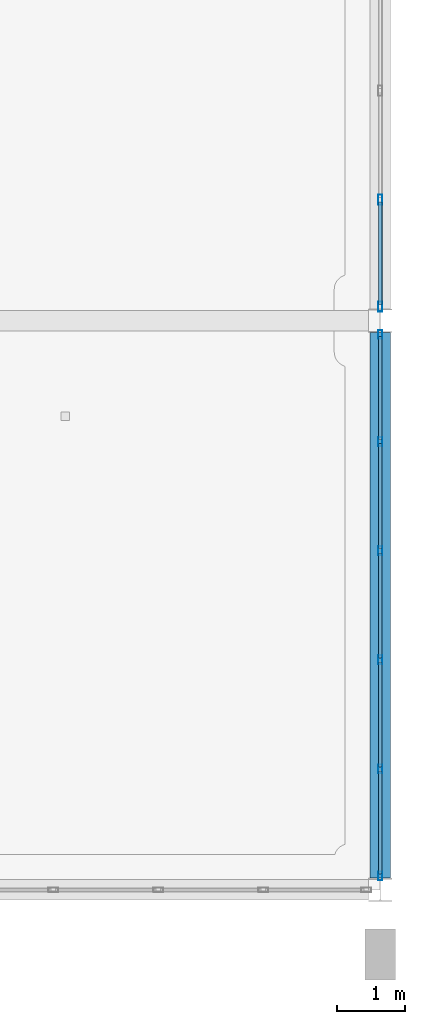
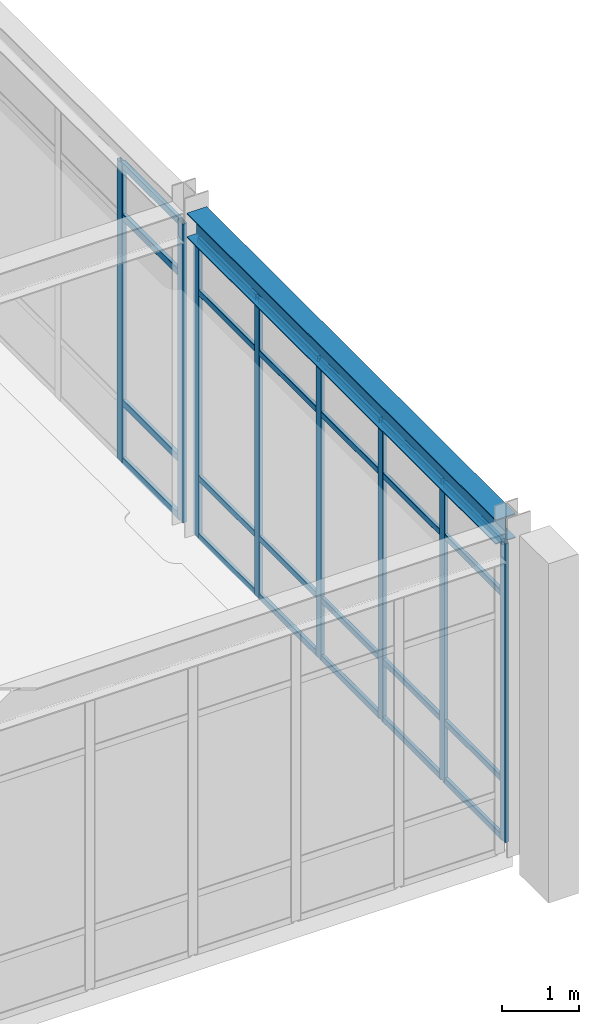
# One storey, part 20 of 80: 32 members, 1 beam, 2 elements without a shape of their own.
"""IFC4 building model written with IfcOpenShell, lengths in metres."""

from ifc_helpers import new_model, si_unit, direction, frame, origin, origin_2d, place, context, subcontext, project, spatial, hollow_rectangle, i_section, extrude, material, material_profile, profile_set, type_object, element, aggregate, save


model = new_model("IFC4")

# Units and contexts
model_context = context("Model", 3, precision=1e-05, world=origin(), true_north=direction((0.0, 1.0)))
body_context = subcontext(model_context, "Body", "Model", "MODEL_VIEW")
ifc_project = project(units=[si_unit("LENGTHUNIT", "METRE"), si_unit("AREAUNIT", "SQUARE_METRE"), si_unit("VOLUMEUNIT", "CUBIC_METRE"), si_unit("PLANEANGLEUNIT", "RADIAN"), si_unit("MASSUNIT", "GRAM", prefix="KILO")], contexts=[model_context])

# Site, building, storey
site_placement = place(None, origin())
site = spatial("IfcSite", under=ifc_project, at=site_placement, CompositionType="ELEMENT")
building_placement = place(site_placement, origin())
building = spatial("IfcBuilding", under=site, at=building_placement, Name="Canglan Escarpment Cableway Terminal", CompositionType="ELEMENT")
storey_placement = place(building_placement, frame((0.0, 0.0, 19.199951171875)))
storey = spatial("IfcBuildingStorey", under=building, at=storey_placement, Name="L04", CompositionType="ELEMENT", Elevation=19.199951171875)

# Beam
ifc_material_1 = material(Name="Steel Q355B", Category="steel")
ifc_material_profile_1 = material_profile(ifc_material_1, i_section(OverallWidth=0.300048828125, OverallDepth=0.389892578125, WebThickness=0.010009765625, FlangeThickness=0.01611328125, FilletRadius=0.02197265625, at=origin_2d()), Name="HM 390x300x10x16")
ifc_profile_set_1 = profile_set([ifc_material_profile_1], Name="Steel Q355B")
beam_type = type_object("IfcBeamType", Name="BM-ARCH-TOP-HM390", PredefinedType="BEAM", material=ifc_profile_set_1)
beam_placement = place(storey_placement, frame((166.39990234375, 8.175048828125, 4.965087890625), z_axis=(0.0, 1.0, 0.0), x_axis=(-1.0, 0.0, 0.0)))
element("IfcBeam", 1, at=beam_placement, inside=storey, type_object=beam_type, Name="Primary transverse girder AR-TC1", PredefinedType="BEAM", context=body_context, shape_type="SweptSolid", body=[
    extrude(i_section(OverallWidth=0.300048828125, OverallDepth=0.389892578125, WebThickness=0.010009765625, FlangeThickness=0.01611328125, FilletRadius=0.02197265625, at=origin_2d()), origin(), (0.0, 0.0, 1.0), 8.050048828125),
])

# Curtain wall, members
ifc_material_2 = material(Name="Anodized bronze aluminium and Low-E double glazing", Category="aluminium")
curtain_wall_type = type_object("IfcCurtainWallType", Name="CW-BAY-8050x4750", PredefinedType="NOTDEFINED", material=ifc_material_2)
curtain_wall_1_placement = place(storey_placement, origin())
curtain_wall_1 = element("IfcCurtainWall", 2, at=curtain_wall_1_placement, inside=storey, type_object=curtain_wall_type, Name="Classical bay-between-piers glazed curtain wall CW-34", PredefinedType="NOTDEFINED")
ifc_material_3 = material(Name="Thermally broken anodized aluminium 6063-T6", Category="aluminium")
ifc_material_profile_2 = material_profile(ifc_material_3, hollow_rectangle(XDim=0.06005859375, YDim=0.1298828125, WallThickness=0.0029296875, InnerFilletRadius=0.0029296875, OuterFilletRadius=0.006103515625, at=origin_2d()), Name="ALU-MULL 60x130x3")
ifc_profile_set_2 = profile_set([ifc_material_profile_2], Name="Thermally broken anodized aluminium 6063-T6")
member_type_1 = type_object("IfcMemberType", Name="CWM-01", PredefinedType="MULLION", material=ifc_profile_set_2)
member_1_placement = place(storey_placement, frame((166.39990234375, 8.205078125, 0.0), z_axis=(0.0, 0.0, 1.0), x_axis=(-1.0, 0.0, 0.0)))
member_1 = element("IfcMember", 3, at=member_1_placement, type_object=member_type_1, Name="CW-34 mullion 1", PredefinedType="MULLION", context=body_context, shape_type="SweptSolid", body=[
    extrude(hollow_rectangle(XDim=0.06005859375, YDim=0.1298828125, WallThickness=0.0029296875, InnerFilletRadius=0.0029296875, OuterFilletRadius=0.006103515625, at=origin_2d()), origin(), (0.0, 0.0, 1.0), 4.755126953125),
])
member_2_placement = place(storey_placement, frame((166.39990234375, 9.784912109375, 0.0), z_axis=(0.0, 0.0, 1.0), x_axis=(-1.0, 0.0, 0.0)))
member_2 = element("IfcMember", 4, at=member_2_placement, type_object=member_type_1, Name="CW-34 mullion 2", PredefinedType="MULLION", context=body_context, shape_type="SweptSolid", body=[
    extrude(hollow_rectangle(XDim=0.06005859375, YDim=0.1298828125, WallThickness=0.0029296875, InnerFilletRadius=0.0029296875, OuterFilletRadius=0.006103515625, at=origin_2d()), origin(), (0.0, 0.0, 1.0), 4.755126953125),
])
member_3_placement = place(storey_placement, frame((166.39990234375, 11.39501953125, 0.0), z_axis=(0.0, 0.0, 1.0), x_axis=(-1.0, 0.0, 0.0)))
member_3 = element("IfcMember", 5, at=member_3_placement, type_object=member_type_1, Name="CW-34 mullion 3", PredefinedType="MULLION", context=body_context, shape_type="SweptSolid", body=[
    extrude(hollow_rectangle(XDim=0.06005859375, YDim=0.1298828125, WallThickness=0.0029296875, InnerFilletRadius=0.0029296875, OuterFilletRadius=0.006103515625, at=origin_2d()), origin(), (0.0, 0.0, 1.0), 4.755126953125),
])
member_4_placement = place(storey_placement, frame((166.39990234375, 13.0048828125, 0.0), z_axis=(0.0, 0.0, 1.0), x_axis=(-1.0, 0.0, 0.0)))
member_4 = element("IfcMember", 6, at=member_4_placement, type_object=member_type_1, Name="CW-34 mullion 4", PredefinedType="MULLION", context=body_context, shape_type="SweptSolid", body=[
    extrude(hollow_rectangle(XDim=0.06005859375, YDim=0.1298828125, WallThickness=0.0029296875, InnerFilletRadius=0.0029296875, OuterFilletRadius=0.006103515625, at=origin_2d()), origin(), (0.0, 0.0, 1.0), 4.755126953125),
])
member_5_placement = place(storey_placement, frame((166.39990234375, 14.614990234375, 0.0), z_axis=(0.0, 0.0, 1.0), x_axis=(-1.0, 0.0, 0.0)))
member_5 = element("IfcMember", 7, at=member_5_placement, type_object=member_type_1, Name="CW-34 mullion 5", PredefinedType="MULLION", context=body_context, shape_type="SweptSolid", body=[
    extrude(hollow_rectangle(XDim=0.06005859375, YDim=0.1298828125, WallThickness=0.0029296875, InnerFilletRadius=0.0029296875, OuterFilletRadius=0.006103515625, at=origin_2d()), origin(), (0.0, 0.0, 1.0), 4.755126953125),
])
member_6_placement = place(storey_placement, frame((166.39990234375, 16.195068359375, 0.0), z_axis=(0.0, 0.0, 1.0), x_axis=(-1.0, 0.0, 0.0)))
member_6 = element("IfcMember", 8, at=member_6_placement, type_object=member_type_1, Name="CW-34 mullion 6", PredefinedType="MULLION", context=body_context, shape_type="SweptSolid", body=[
    extrude(hollow_rectangle(XDim=0.06005859375, YDim=0.1298828125, WallThickness=0.0029296875, InnerFilletRadius=0.0029296875, OuterFilletRadius=0.006103515625, at=origin_2d()), origin(), (0.0, 0.0, 1.0), 4.755126953125),
])

curtain_wall_2_placement = place(storey_placement, origin())
curtain_wall_2 = element("IfcCurtainWall", 9, at=curtain_wall_2_placement, inside=storey, type_object=curtain_wall_type, Name="Classical bay-between-piers glazed curtain wall CW-34", PredefinedType="NOTDEFINED")
ifc_material_profile_3 = material_profile(ifc_material_3, hollow_rectangle(XDim=0.06494140625, YDim=0.14990234375, WallThickness=0.00341796875, InnerFilletRadius=0.00341796875, OuterFilletRadius=0.007080078125, at=origin_2d()), Name="ALU-MULL 65x150x3.5")
ifc_profile_set_3 = profile_set([ifc_material_profile_3], Name="Thermally broken anodized aluminium 6063-T6")
member_type_2 = type_object("IfcMemberType", Name="CWM-02", PredefinedType="MULLION", material=ifc_profile_set_3)
member_7_placement = place(storey_placement, frame((166.39990234375, 16.607421875, 0.0), z_axis=(0.0, 0.0, 1.0), x_axis=(-1.0, 0.0, 0.0)))
member_7 = element("IfcMember", 10, at=member_7_placement, type_object=member_type_2, Name="CW-34 mullion 1", PredefinedType="MULLION", context=body_context, shape_type="SweptSolid", body=[
    extrude(hollow_rectangle(XDim=0.06494140625, YDim=0.14990234375, WallThickness=0.00341796875, InnerFilletRadius=0.00341796875, OuterFilletRadius=0.007080078125, at=origin_2d()), origin(), (0.0, 0.0, 1.0), 4.755126953125),
])
member_8_placement = place(storey_placement, frame((166.39990234375, 18.18505859375, 0.0), z_axis=(0.0, 0.0, 1.0), x_axis=(-1.0, 0.0, 0.0)))
member_8 = element("IfcMember", 11, at=member_8_placement, type_object=member_type_2, Name="CW-34 mullion 2", PredefinedType="MULLION", context=body_context, shape_type="SweptSolid", body=[
    extrude(hollow_rectangle(XDim=0.06494140625, YDim=0.14990234375, WallThickness=0.00341796875, InnerFilletRadius=0.00341796875, OuterFilletRadius=0.007080078125, at=origin_2d()), origin(), (0.0, 0.0, 1.0), 4.755126953125),
])

# Member
ifc_material_profile_4 = material_profile(ifc_material_3, hollow_rectangle(XDim=0.054931640625, YDim=0.094970703125, WallThickness=0.0029296875, InnerFilletRadius=0.0029296875, OuterFilletRadius=0.006103515625, at=origin_2d()), Name="ALU-TRAN 55x95x3")
ifc_profile_set_4 = profile_set([ifc_material_profile_4], Name="Thermally broken anodized aluminium 6063-T6")
member_type_3 = type_object("IfcMemberType", Name="CWT-01", PredefinedType="USERDEFINED", material=ifc_profile_set_4)
member_9_placement = place(storey_placement, frame((166.39990234375, 8.235107421875, 0.027587890625), z_axis=(0.0, 1.0, 0.0), x_axis=(-1.0, 0.0, 0.0)))
member_9 = element("IfcMember", 12, at=member_9_placement, type_object=member_type_3, Name="CW-34 transom 1.1", ObjectType="TRANSOM", PredefinedType="USERDEFINED", context=body_context, shape_type="SweptSolid", body=[
    extrude(hollow_rectangle(XDim=0.054931640625, YDim=0.094970703125, WallThickness=0.0029296875, InnerFilletRadius=0.0029296875, OuterFilletRadius=0.006103515625, at=origin_2d()), origin(), (0.0, 0.0, 1.0), 1.519775390625),
])

member_10_placement = place(storey_placement, frame((166.39990234375, 8.235107421875, 0.949951171875), z_axis=(0.0, 1.0, 0.0), x_axis=(-1.0, 0.0, 0.0)))
member_10 = element("IfcMember", 13, at=member_10_placement, type_object=member_type_3, Name="CW-34 transom 1.2", ObjectType="TRANSOM", PredefinedType="USERDEFINED", context=body_context, shape_type="SweptSolid", body=[
    extrude(hollow_rectangle(XDim=0.054931640625, YDim=0.094970703125, WallThickness=0.0029296875, InnerFilletRadius=0.0029296875, OuterFilletRadius=0.006103515625, at=origin_2d()), origin(), (0.0, 0.0, 1.0), 1.519775390625),
])

member_11_placement = place(storey_placement, frame((166.39990234375, 8.235107421875, 3.905029296875), z_axis=(0.0, 1.0, 0.0), x_axis=(-1.0, 0.0, 0.0)))
member_11 = element("IfcMember", 14, at=member_11_placement, type_object=member_type_3, Name="CW-34 transom 1.3", ObjectType="TRANSOM", PredefinedType="USERDEFINED", context=body_context, shape_type="SweptSolid", body=[
    extrude(hollow_rectangle(XDim=0.054931640625, YDim=0.094970703125, WallThickness=0.0029296875, InnerFilletRadius=0.0029296875, OuterFilletRadius=0.006103515625, at=origin_2d()), origin(), (0.0, 0.0, 1.0), 1.519775390625),
])

member_12_placement = place(storey_placement, frame((166.39990234375, 8.235107421875, 4.7275390625), z_axis=(0.0, 1.0, 0.0), x_axis=(-1.0, 0.0, 0.0)))
member_12 = element("IfcMember", 15, at=member_12_placement, type_object=member_type_3, Name="CW-34 transom 1.4", ObjectType="TRANSOM", PredefinedType="USERDEFINED", context=body_context, shape_type="SweptSolid", body=[
    extrude(hollow_rectangle(XDim=0.054931640625, YDim=0.094970703125, WallThickness=0.0029296875, InnerFilletRadius=0.0029296875, OuterFilletRadius=0.006103515625, at=origin_2d()), origin(), (0.0, 0.0, 1.0), 1.519775390625),
])

member_13_placement = place(storey_placement, frame((166.39990234375, 9.81494140625, 0.027587890625), z_axis=(0.0, 1.0, 0.0), x_axis=(-1.0, 0.0, 0.0)))
member_13 = element("IfcMember", 16, at=member_13_placement, type_object=member_type_3, Name="CW-34 transom 2.1", ObjectType="TRANSOM", PredefinedType="USERDEFINED", context=body_context, shape_type="SweptSolid", body=[
    extrude(hollow_rectangle(XDim=0.054931640625, YDim=0.094970703125, WallThickness=0.0029296875, InnerFilletRadius=0.0029296875, OuterFilletRadius=0.006103515625, at=origin_2d()), origin(), (0.0, 0.0, 1.0), 1.550048828125),
])

member_14_placement = place(storey_placement, frame((166.39990234375, 9.81494140625, 0.949951171875), z_axis=(0.0, 1.0, 0.0), x_axis=(-1.0, 0.0, 0.0)))
member_14 = element("IfcMember", 17, at=member_14_placement, type_object=member_type_3, Name="CW-34 transom 2.2", ObjectType="TRANSOM", PredefinedType="USERDEFINED", context=body_context, shape_type="SweptSolid", body=[
    extrude(hollow_rectangle(XDim=0.054931640625, YDim=0.094970703125, WallThickness=0.0029296875, InnerFilletRadius=0.0029296875, OuterFilletRadius=0.006103515625, at=origin_2d()), origin(), (0.0, 0.0, 1.0), 1.550048828125),
])

member_15_placement = place(storey_placement, frame((166.39990234375, 9.81494140625, 3.905029296875), z_axis=(0.0, 1.0, 0.0), x_axis=(-1.0, 0.0, 0.0)))
member_15 = element("IfcMember", 18, at=member_15_placement, type_object=member_type_3, Name="CW-34 transom 2.3", ObjectType="TRANSOM", PredefinedType="USERDEFINED", context=body_context, shape_type="SweptSolid", body=[
    extrude(hollow_rectangle(XDim=0.054931640625, YDim=0.094970703125, WallThickness=0.0029296875, InnerFilletRadius=0.0029296875, OuterFilletRadius=0.006103515625, at=origin_2d()), origin(), (0.0, 0.0, 1.0), 1.550048828125),
])

member_16_placement = place(storey_placement, frame((166.39990234375, 9.81494140625, 4.7275390625), z_axis=(0.0, 1.0, 0.0), x_axis=(-1.0, 0.0, 0.0)))
member_16 = element("IfcMember", 19, at=member_16_placement, type_object=member_type_3, Name="CW-34 transom 2.4", ObjectType="TRANSOM", PredefinedType="USERDEFINED", context=body_context, shape_type="SweptSolid", body=[
    extrude(hollow_rectangle(XDim=0.054931640625, YDim=0.094970703125, WallThickness=0.0029296875, InnerFilletRadius=0.0029296875, OuterFilletRadius=0.006103515625, at=origin_2d()), origin(), (0.0, 0.0, 1.0), 1.550048828125),
])

member_17_placement = place(storey_placement, frame((166.39990234375, 11.425048828125, 0.027587890625), z_axis=(0.0, 1.0, 0.0), x_axis=(-1.0, 0.0, 0.0)))
member_17 = element("IfcMember", 20, at=member_17_placement, type_object=member_type_3, Name="CW-34 transom 3.1", ObjectType="TRANSOM", PredefinedType="USERDEFINED", context=body_context, shape_type="SweptSolid", body=[
    extrude(hollow_rectangle(XDim=0.054931640625, YDim=0.094970703125, WallThickness=0.0029296875, InnerFilletRadius=0.0029296875, OuterFilletRadius=0.006103515625, at=origin_2d()), origin(), (0.0, 0.0, 1.0), 1.550048828125),
])

member_18_placement = place(storey_placement, frame((166.39990234375, 11.425048828125, 0.949951171875), z_axis=(0.0, 1.0, 0.0), x_axis=(-1.0, 0.0, 0.0)))
member_18 = element("IfcMember", 21, at=member_18_placement, type_object=member_type_3, Name="CW-34 transom 3.2", ObjectType="TRANSOM", PredefinedType="USERDEFINED", context=body_context, shape_type="SweptSolid", body=[
    extrude(hollow_rectangle(XDim=0.054931640625, YDim=0.094970703125, WallThickness=0.0029296875, InnerFilletRadius=0.0029296875, OuterFilletRadius=0.006103515625, at=origin_2d()), origin(), (0.0, 0.0, 1.0), 1.550048828125),
])

member_19_placement = place(storey_placement, frame((166.39990234375, 11.425048828125, 3.905029296875), z_axis=(0.0, 1.0, 0.0), x_axis=(-1.0, 0.0, 0.0)))
member_19 = element("IfcMember", 22, at=member_19_placement, type_object=member_type_3, Name="CW-34 transom 3.3", ObjectType="TRANSOM", PredefinedType="USERDEFINED", context=body_context, shape_type="SweptSolid", body=[
    extrude(hollow_rectangle(XDim=0.054931640625, YDim=0.094970703125, WallThickness=0.0029296875, InnerFilletRadius=0.0029296875, OuterFilletRadius=0.006103515625, at=origin_2d()), origin(), (0.0, 0.0, 1.0), 1.550048828125),
])

member_20_placement = place(storey_placement, frame((166.39990234375, 11.425048828125, 4.7275390625), z_axis=(0.0, 1.0, 0.0), x_axis=(-1.0, 0.0, 0.0)))
member_20 = element("IfcMember", 23, at=member_20_placement, type_object=member_type_3, Name="CW-34 transom 3.4", ObjectType="TRANSOM", PredefinedType="USERDEFINED", context=body_context, shape_type="SweptSolid", body=[
    extrude(hollow_rectangle(XDim=0.054931640625, YDim=0.094970703125, WallThickness=0.0029296875, InnerFilletRadius=0.0029296875, OuterFilletRadius=0.006103515625, at=origin_2d()), origin(), (0.0, 0.0, 1.0), 1.550048828125),
])

member_21_placement = place(storey_placement, frame((166.39990234375, 13.034912109375, 0.027587890625), z_axis=(0.0, 1.0, 0.0), x_axis=(-1.0, 0.0, 0.0)))
member_21 = element("IfcMember", 24, at=member_21_placement, type_object=member_type_3, Name="CW-34 transom 4.1", ObjectType="TRANSOM", PredefinedType="USERDEFINED", context=body_context, shape_type="SweptSolid", body=[
    extrude(hollow_rectangle(XDim=0.054931640625, YDim=0.094970703125, WallThickness=0.0029296875, InnerFilletRadius=0.0029296875, OuterFilletRadius=0.006103515625, at=origin_2d()), origin(), (0.0, 0.0, 1.0), 1.550048828125),
])

member_22_placement = place(storey_placement, frame((166.39990234375, 13.034912109375, 0.949951171875), z_axis=(0.0, 1.0, 0.0), x_axis=(-1.0, 0.0, 0.0)))
member_22 = element("IfcMember", 25, at=member_22_placement, type_object=member_type_3, Name="CW-34 transom 4.2", ObjectType="TRANSOM", PredefinedType="USERDEFINED", context=body_context, shape_type="SweptSolid", body=[
    extrude(hollow_rectangle(XDim=0.054931640625, YDim=0.094970703125, WallThickness=0.0029296875, InnerFilletRadius=0.0029296875, OuterFilletRadius=0.006103515625, at=origin_2d()), origin(), (0.0, 0.0, 1.0), 1.550048828125),
])

member_23_placement = place(storey_placement, frame((166.39990234375, 13.034912109375, 3.905029296875), z_axis=(0.0, 1.0, 0.0), x_axis=(-1.0, 0.0, 0.0)))
member_23 = element("IfcMember", 26, at=member_23_placement, type_object=member_type_3, Name="CW-34 transom 4.3", ObjectType="TRANSOM", PredefinedType="USERDEFINED", context=body_context, shape_type="SweptSolid", body=[
    extrude(hollow_rectangle(XDim=0.054931640625, YDim=0.094970703125, WallThickness=0.0029296875, InnerFilletRadius=0.0029296875, OuterFilletRadius=0.006103515625, at=origin_2d()), origin(), (0.0, 0.0, 1.0), 1.550048828125),
])

member_24_placement = place(storey_placement, frame((166.39990234375, 13.034912109375, 4.7275390625), z_axis=(0.0, 1.0, 0.0), x_axis=(-1.0, 0.0, 0.0)))
member_24 = element("IfcMember", 27, at=member_24_placement, type_object=member_type_3, Name="CW-34 transom 4.4", ObjectType="TRANSOM", PredefinedType="USERDEFINED", context=body_context, shape_type="SweptSolid", body=[
    extrude(hollow_rectangle(XDim=0.054931640625, YDim=0.094970703125, WallThickness=0.0029296875, InnerFilletRadius=0.0029296875, OuterFilletRadius=0.006103515625, at=origin_2d()), origin(), (0.0, 0.0, 1.0), 1.550048828125),
])

member_25_placement = place(storey_placement, frame((166.39990234375, 14.64501953125, 0.027587890625), z_axis=(0.0, 1.0, 0.0), x_axis=(-1.0, 0.0, 0.0)))
member_25 = element("IfcMember", 28, at=member_25_placement, type_object=member_type_3, Name="CW-34 transom 5.1", ObjectType="TRANSOM", PredefinedType="USERDEFINED", context=body_context, shape_type="SweptSolid", body=[
    extrude(hollow_rectangle(XDim=0.054931640625, YDim=0.094970703125, WallThickness=0.0029296875, InnerFilletRadius=0.0029296875, OuterFilletRadius=0.006103515625, at=origin_2d()), origin(), (0.0, 0.0, 1.0), 1.52001953125),
])

member_26_placement = place(storey_placement, frame((166.39990234375, 14.64501953125, 0.949951171875), z_axis=(0.0, 1.0, 0.0), x_axis=(-1.0, 0.0, 0.0)))
member_26 = element("IfcMember", 29, at=member_26_placement, type_object=member_type_3, Name="CW-34 transom 5.2", ObjectType="TRANSOM", PredefinedType="USERDEFINED", context=body_context, shape_type="SweptSolid", body=[
    extrude(hollow_rectangle(XDim=0.054931640625, YDim=0.094970703125, WallThickness=0.0029296875, InnerFilletRadius=0.0029296875, OuterFilletRadius=0.006103515625, at=origin_2d()), origin(), (0.0, 0.0, 1.0), 1.52001953125),
])

member_27_placement = place(storey_placement, frame((166.39990234375, 14.64501953125, 3.905029296875), z_axis=(0.0, 1.0, 0.0), x_axis=(-1.0, 0.0, 0.0)))
member_27 = element("IfcMember", 30, at=member_27_placement, type_object=member_type_3, Name="CW-34 transom 5.3", ObjectType="TRANSOM", PredefinedType="USERDEFINED", context=body_context, shape_type="SweptSolid", body=[
    extrude(hollow_rectangle(XDim=0.054931640625, YDim=0.094970703125, WallThickness=0.0029296875, InnerFilletRadius=0.0029296875, OuterFilletRadius=0.006103515625, at=origin_2d()), origin(), (0.0, 0.0, 1.0), 1.52001953125),
])

member_28_placement = place(storey_placement, frame((166.39990234375, 14.64501953125, 4.7275390625), z_axis=(0.0, 1.0, 0.0), x_axis=(-1.0, 0.0, 0.0)))
member_28 = element("IfcMember", 31, at=member_28_placement, type_object=member_type_3, Name="CW-34 transom 5.4", ObjectType="TRANSOM", PredefinedType="USERDEFINED", context=body_context, shape_type="SweptSolid", body=[
    extrude(hollow_rectangle(XDim=0.054931640625, YDim=0.094970703125, WallThickness=0.0029296875, InnerFilletRadius=0.0029296875, OuterFilletRadius=0.006103515625, at=origin_2d()), origin(), (0.0, 0.0, 1.0), 1.52001953125),
])

aggregate(curtain_wall_1, [member_1, member_2, member_3, member_4, member_5, member_6, member_9, member_10, member_11, member_12, member_13, member_14, member_15, member_16, member_17, member_18, member_19, member_20, member_21, member_22, member_23, member_24, member_25, member_26, member_27, member_28])

ifc_material_profile_5 = material_profile(ifc_material_3, hollow_rectangle(XDim=0.06005859375, YDim=0.110107421875, WallThickness=0.0029296875, InnerFilletRadius=0.0029296875, OuterFilletRadius=0.006103515625, at=origin_2d()), Name="ALU-TRAN 60x110x3")
ifc_profile_set_5 = profile_set([ifc_material_profile_5], Name="Thermally broken anodized aluminium 6063-T6")
member_type_4 = type_object("IfcMemberType", Name="CWT-02", PredefinedType="USERDEFINED", material=ifc_profile_set_5)
member_29_placement = place(storey_placement, frame((166.39990234375, 16.639892578125, 0.030029296875), z_axis=(0.0, 1.0, 0.0), x_axis=(-1.0, 0.0, 0.0)))
member_29 = element("IfcMember", 32, at=member_29_placement, type_object=member_type_4, Name="CW-34 transom 1.1", ObjectType="TRANSOM", PredefinedType="USERDEFINED", context=body_context, shape_type="SweptSolid", body=[
    extrude(hollow_rectangle(XDim=0.06005859375, YDim=0.110107421875, WallThickness=0.0029296875, InnerFilletRadius=0.0029296875, OuterFilletRadius=0.006103515625, at=origin_2d()), origin(), (0.0, 0.0, 1.0), 1.5126953125),
])

member_30_placement = place(storey_placement, frame((166.39990234375, 16.639892578125, 0.949951171875), z_axis=(0.0, 1.0, 0.0), x_axis=(-1.0, 0.0, 0.0)))
member_30 = element("IfcMember", 33, at=member_30_placement, type_object=member_type_4, Name="CW-34 transom 1.2", ObjectType="TRANSOM", PredefinedType="USERDEFINED", context=body_context, shape_type="SweptSolid", body=[
    extrude(hollow_rectangle(XDim=0.06005859375, YDim=0.110107421875, WallThickness=0.0029296875, InnerFilletRadius=0.0029296875, OuterFilletRadius=0.006103515625, at=origin_2d()), origin(), (0.0, 0.0, 1.0), 1.5126953125),
])

member_31_placement = place(storey_placement, frame((166.39990234375, 16.639892578125, 3.905029296875), z_axis=(0.0, 1.0, 0.0), x_axis=(-1.0, 0.0, 0.0)))
member_31 = element("IfcMember", 34, at=member_31_placement, type_object=member_type_4, Name="CW-34 transom 1.3", ObjectType="TRANSOM", PredefinedType="USERDEFINED", context=body_context, shape_type="SweptSolid", body=[
    extrude(hollow_rectangle(XDim=0.06005859375, YDim=0.110107421875, WallThickness=0.0029296875, InnerFilletRadius=0.0029296875, OuterFilletRadius=0.006103515625, at=origin_2d()), origin(), (0.0, 0.0, 1.0), 1.5126953125),
])

member_32_placement = place(storey_placement, frame((166.39990234375, 16.639892578125, 4.72509765625), z_axis=(0.0, 1.0, 0.0), x_axis=(-1.0, 0.0, 0.0)))
member_32 = element("IfcMember", 35, at=member_32_placement, type_object=member_type_4, Name="CW-34 transom 1.4", ObjectType="TRANSOM", PredefinedType="USERDEFINED", context=body_context, shape_type="SweptSolid", body=[
    extrude(hollow_rectangle(XDim=0.06005859375, YDim=0.110107421875, WallThickness=0.0029296875, InnerFilletRadius=0.0029296875, OuterFilletRadius=0.006103515625, at=origin_2d()), origin(), (0.0, 0.0, 1.0), 1.5126953125),
])

aggregate(curtain_wall_2, [member_7, member_8, member_29, member_30, member_31, member_32])

save(model, "model.ifc")
